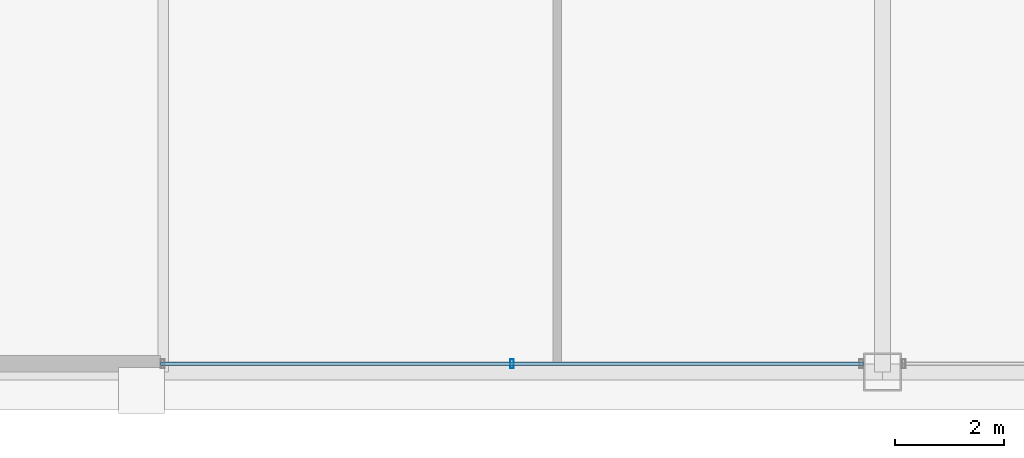
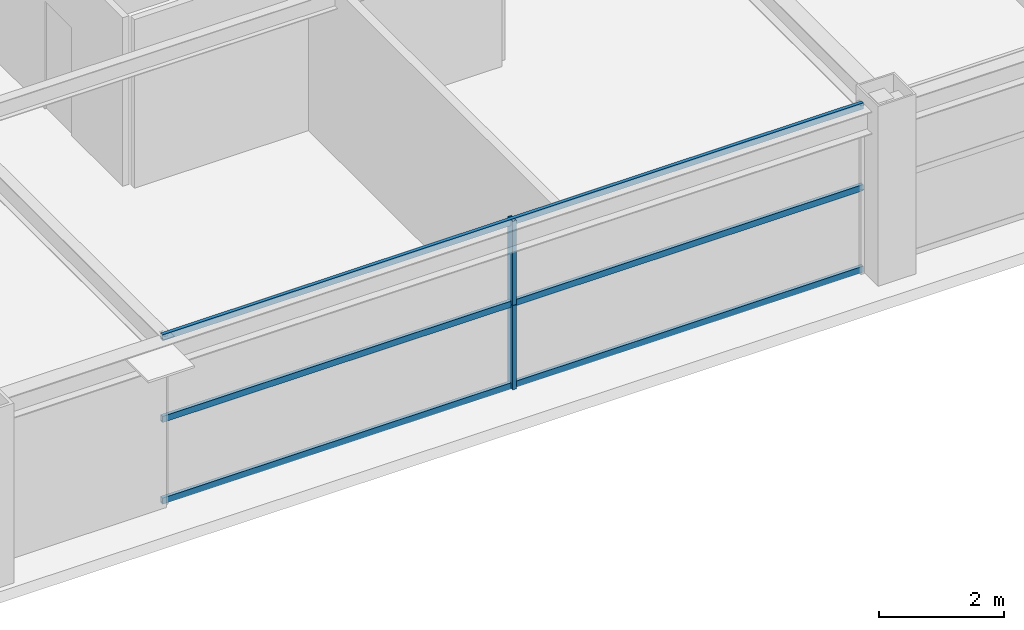
# One storey, part 5 of 36: 5 members, 1 element without a shape of its own.
"""IFC4 building model written with IfcOpenShell, lengths in metres."""

import ifcopenshell
import ifcopenshell.guid

model = None  # the IFC model being written
_history = None  # IfcOwnerHistory: only IFC2X3 demands one
_inside = {}  # id of a spatial element -> (the spatial element, [elements in it])
_under = {}  # id of a project, library or spatial element -> (it, [spatial elements below it])
_declared = {}  # id of a project -> (the project, [libraries it declares])
_typed = {}  # id of a type object -> (the type object, [elements of that type])
_made_of = {}  # id of a material, layer set ... -> (it, [elements and type objects made of it])


def new_model(schema):
    """Start an empty IFC model of exactly this schema.

    Asked for "IFC4X3", IfcOpenShell would pick the latest addendum, in which some entities
    have other attributes; the version numbers below select the first issue.
    IFC2X3 requires an IfcOwnerHistory on every rooted entity: one is made here for all.
    """
    global model, _history
    if schema == "IFC4X3":
        model = ifcopenshell.file(schema_version=(4, 3, 0, 0))
    else:
        model = ifcopenshell.file(schema=schema)
    _inside.clear()
    _under.clear()
    _declared.clear()
    _typed.clear()
    _made_of.clear()
    _history = None
    if model.schema == "IFC2X3":
        org = make("IfcOrganization", Name="unknown")
        user = make(
            "IfcPersonAndOrganization",
            ThePerson=make("IfcPerson", FamilyName="unknown"),
            TheOrganization=org,
        )
        app = make(
            "IfcApplication",
            ApplicationDeveloper=org,
            Version="unknown",
            ApplicationFullName="unknown",
            ApplicationIdentifier="unknown",
        )
        _history = make(
            "IfcOwnerHistory",
            OwningUser=user,
            OwningApplication=app,
            ChangeAction="ADDED",
            CreationDate=0,
        )
    return model


def make(cls, **values):
    """One entity of the class cls with the attributes given. An attribute that is None is left unset."""
    return model.create_entity(
        cls, **{name: value for name, value in values.items() if value is not None}
    )


def rooted(cls, **values):
    """An entity with a GlobalId (a new one), such as an element, a storey or a relation."""
    return make(cls, GlobalId=ifcopenshell.guid.new(), OwnerHistory=_history, **values)


def si_unit(unit_type, name, prefix=None):
    """IfcSIUnit, for example si_unit("LENGTHUNIT", "METRE", prefix="MILLI")."""
    return make("IfcSIUnit", UnitType=unit_type, Prefix=prefix, Name=name)


def assignment(units):
    """IfcUnitAssignment: the units of a project."""
    return None if units is None else make("IfcUnitAssignment", Units=units)


def point(xyz):
    """IfcCartesianPoint."""
    return None if xyz is None else make("IfcCartesianPoint", Coordinates=xyz)


def direction(xyz):
    """IfcDirection."""
    return None if xyz is None else make("IfcDirection", DirectionRatios=xyz)


def frame(location, z_axis=None, x_axis=None):
    """IfcAxis2Placement3D, a coordinate frame: its origin and axes. An axis left out is left unset."""
    return make(
        "IfcAxis2Placement3D",
        Location=point(location),
        Axis=direction(z_axis),
        RefDirection=direction(x_axis),
    )


def frame_2d(location, x_axis=None):
    """IfcAxis2Placement2D, a coordinate frame in the plane: its origin and x axis."""
    return make(
        "IfcAxis2Placement2D", Location=point(location), RefDirection=direction(x_axis)
    )


def origin():
    """The frame at (0, 0, 0) with its axes left unset."""
    return frame((0.0, 0.0, 0.0))


def origin_2d():
    """The frame at (0, 0) in the plane with its x axis left unset."""
    return frame_2d((0.0, 0.0))


def place(relative_to, where):
    """IfcLocalPlacement: puts the frame where relative to a parent placement (None: the world)."""
    return make(
        "IfcLocalPlacement", PlacementRelTo=relative_to, RelativePlacement=where
    )


def context(
    kind, dimensions, precision=None, world=None, true_north=None, identifier=None
):
    """IfcGeometricRepresentationContext, for example the 3D "Model" context."""
    return make(
        "IfcGeometricRepresentationContext",
        ContextIdentifier=identifier,
        ContextType=kind,
        CoordinateSpaceDimension=dimensions,
        Precision=precision,
        WorldCoordinateSystem=world,
        TrueNorth=true_north,
    )


def subcontext(parent, identifier, kind, view, scale=None):
    """IfcGeometricRepresentationSubContext, for example "Body" below "Model"."""
    return make(
        "IfcGeometricRepresentationSubContext",
        ContextIdentifier=identifier,
        ContextType=kind,
        ParentContext=parent,
        TargetScale=scale,
        TargetView=view,
    )


def project(units=None, contexts=None):
    """IfcProject with its units and contexts."""
    return rooted(
        "IfcProject",
        Name="project",
        RepresentationContexts=contexts,
        UnitsInContext=assignment(units),
    )


def spatial(cls, under=None, at=None, **own):
    """A site, building, storey or space (cls), placed at a placement, below another one or the project."""
    s = rooted(cls, ObjectPlacement=at, **own)
    if under is not None:
        _under.setdefault(under.id(), (under, []))[1].append(s)
    return s


def profile(cls, at=None, kind="AREA", **sizes):
    """A parametric profile (cls). Its sizes go by their IFC names, for example OverallWidth=200.0."""
    return make(cls, ProfileType=kind, Position=at, **sizes)


def hollow_rectangle(**sizes):
    """IfcRectangleHollowProfileDef."""
    return profile("IfcRectangleHollowProfileDef", **sizes)


def extrude(swept, where, along, depth):
    """IfcExtrudedAreaSolid: the profile swept, set in the frame where, extruded along a direction by depth."""
    return make(
        "IfcExtrudedAreaSolid",
        SweptArea=swept,
        Position=where,
        ExtrudedDirection=direction(along),
        Depth=depth,
    )


def shape(context_of_items, identifier, shape_type, items):
    """IfcShapeRepresentation: the items that make up one representation, for example the "Body"."""
    return make(
        "IfcShapeRepresentation",
        ContextOfItems=context_of_items,
        RepresentationIdentifier=identifier,
        RepresentationType=shape_type,
        Items=items,
    )


def source(mapping_origin, context_of_items, identifier, shape_type, items):
    """IfcRepresentationMap: a shape defined once, which mapped items show again and again."""
    return make(
        "IfcRepresentationMap",
        MappingOrigin=mapping_origin,
        MappedRepresentation=shape(context_of_items, identifier, shape_type, items),
    )


def transform(
    local_origin,
    x_axis=None,
    y_axis=None,
    z_axis=None,
    scale=None,
    scale2=None,
    scale3=None,
    uniform=True,
):
    """IfcCartesianTransformationOperator3D, or its non-uniform kind. x_axis, y_axis, z_axis: its Axis1, 2, 3."""
    if uniform:
        return make(
            "IfcCartesianTransformationOperator3D",
            Axis1=direction(x_axis),
            Axis2=direction(y_axis),
            LocalOrigin=point(local_origin),
            Scale=scale,
            Axis3=direction(z_axis),
        )
    return make(
        "IfcCartesianTransformationOperator3DnonUniform",
        Axis1=direction(x_axis),
        Axis2=direction(y_axis),
        LocalOrigin=point(local_origin),
        Scale=scale,
        Axis3=direction(z_axis),
        Scale2=scale2,
        Scale3=scale3,
    )


def mapped(mapping_source, mapping_target):
    """IfcMappedItem: shows the shape of a source again, moved by a transform."""
    return make(
        "IfcMappedItem", MappingSource=mapping_source, MappingTarget=mapping_target
    )


def material(Name=None, Category=None):
    """IfcMaterial."""
    return make("IfcMaterial", Name=Name, Category=Category)


def layer(
    of_material, thickness, ventilated=None, Name=None, Category=None, Priority=None
):
    """IfcMaterialLayer: one layer of a wall or slab, of a material (None: an air gap)."""
    return make(
        "IfcMaterialLayer",
        Material=of_material,
        LayerThickness=thickness,
        IsVentilated=ventilated,
        Name=Name,
        Category=Category,
        Priority=Priority,
    )


def layer_set(layers, Name=None):
    """IfcMaterialLayerSet."""
    return make("IfcMaterialLayerSet", MaterialLayers=layers, LayerSetName=Name)


def material_profile(
    of_material, cross_section, Name=None, Category=None, Priority=None
):
    """IfcMaterialProfile: a cross section and its material."""
    return make(
        "IfcMaterialProfile",
        Name=Name,
        Material=of_material,
        Profile=cross_section,
        Priority=Priority,
        Category=Category,
    )


def profile_set(profiles, Name=None, composite=None):
    """IfcMaterialProfileSet."""
    return make(
        "IfcMaterialProfileSet",
        Name=Name,
        MaterialProfiles=profiles,
        CompositeProfile=composite,
    )


def made_of(thing, what):
    """Note that an element or type object is made of a material, layer set ...; save() writes the relation."""
    if what is not None:
        _made_of.setdefault(what.id(), (what, []))[1].append(thing)
    return thing


def type_object(cls, material=None, **own):
    """A type object (cls), such as IfcWallType, which elements share."""
    return made_of(rooted(cls, **own), material)


def element(
    cls,
    number,
    at=None,
    inside=None,
    cuts=None,
    type_object=None,
    material=None,
    context=None,
    identifier="Body",
    shape_type=None,
    held_by="IfcProductDefinitionShape",
    body=None,
    shapes=None,
    **own,
):
    """One element of the class cls, such as IfcWall. Its Tag is "e" and its number.

    at: its placement. inside: the storey or other place that contains it. cuts: it is an
    opening in that element (IfcRelVoidsElement). A single representation is given by context,
    identifier, shape_type and body (its items); several are given by shapes. held_by: the class
    of the entity that holds the representations. save() writes the other relations.
    """
    e = rooted(cls, Tag="e%d" % number, ObjectPlacement=at, **own)
    if body is not None:
        shapes = [shape(context, identifier, shape_type, body)]
    if shapes is not None:
        e.Representation = make(held_by, Representations=shapes)
    if inside is not None:
        _inside.setdefault(inside.id(), (inside, []))[1].append(e)
    if cuts is not None:
        rooted(
            "IfcRelVoidsElement", RelatingBuildingElement=cuts, RelatedOpeningElement=e
        )
    if type_object is not None:
        _typed.setdefault(type_object.id(), (type_object, []))[1].append(e)
    return made_of(e, material)


def aggregate(whole, parts):
    """IfcRelAggregates: a whole, such as a stair, and the parts it consists of."""
    return rooted("IfcRelAggregates", RelatingObject=whole, RelatedObjects=parts)


def save(model, path):
    """Write the relations noted so far, then the file.

    IfcRelAggregates (storeys below a building ...), IfcRelContainedInSpatialStructure (elements
    in a storey), IfcRelDefinesByType, IfcRelAssociatesMaterial and IfcRelDeclares: one each for
    every whole, place, type object, material and project.
    """
    for whole, parts in _under.values():
        aggregate(whole, parts)
    for where, things in _inside.values():
        rooted(
            "IfcRelContainedInSpatialStructure",
            RelatedElements=things,
            RelatingStructure=where,
        )
    for kind, things in _typed.values():
        rooted("IfcRelDefinesByType", RelatedObjects=things, RelatingType=kind)
    for what, things in _made_of.values():
        rooted("IfcRelAssociatesMaterial", RelatedObjects=things, RelatingMaterial=what)
    for by, libraries in _declared.values():
        rooted("IfcRelDeclares", RelatingContext=by, RelatedDefinitions=libraries)
    model.write(path)


model = new_model("IFC4")

# Units and contexts
model_context = context("Model", 3, precision=1e-05, world=origin(), true_north=direction((0.0, 1.0)))
body_context = subcontext(model_context, "Body", "Model", "MODEL_VIEW")
ifc_project = project(units=[si_unit("LENGTHUNIT", "METRE"), si_unit("AREAUNIT", "SQUARE_METRE"), si_unit("VOLUMEUNIT", "CUBIC_METRE"), si_unit("PLANEANGLEUNIT", "RADIAN"), si_unit("MASSUNIT", "GRAM", prefix="KILO"), si_unit("THERMODYNAMICTEMPERATUREUNIT", "KELVIN"), si_unit("POWERUNIT", "WATT")], contexts=[model_context])

# Site, building, storey
site_placement = place(None, origin())
site = spatial("IfcSite", under=ifc_project, at=site_placement, CompositionType="ELEMENT")
building_placement = place(site_placement, origin())
building = spatial("IfcBuilding", under=site, at=building_placement, Name="Yuzanri Waterfront Tower", CompositionType="ELEMENT")
storey_placement = place(building_placement, frame((0.0, 0.0, 238.10009765625)))
storey = spatial("IfcBuildingStorey", under=building, at=storey_placement, Name="L63", CompositionType="ELEMENT", Elevation=238.10009765625)

# Curtain wall, members
ifc_material_1 = material(Name="Anodized Architectural Bronze", Category="metal")
ifc_layer = layer(ifc_material_1, 0.159912109375)
ifc_layer_set = layer_set([ifc_layer], Name="Anodized Architectural Bronze")
curtain_wall_type = type_object("IfcCurtainWallType", Name="Anodized Bronze Mid-Rise Residential Acoustic Unitized Curtain Wall 7200", PredefinedType="NOTDEFINED", material=ifc_layer_set)
curtain_wall_placement = place(storey_placement, origin())
curtain_wall = element("IfcCurtainWall", 1, at=curtain_wall_placement, inside=storey, type_object=curtain_wall_type, Name="L63 Curtain Wall CW-L63-SL", PredefinedType="NOTDEFINED")
ifc_material_2 = material(Name="Anodized Architectural Bronze", Category="metal")
ifc_material_profile_1 = material_profile(ifc_material_2, hollow_rectangle(XDim=0.06494140625, YDim=0.159912109375, WallThickness=0.00341796875, at=origin_2d()), Name="CWM 65x160")
ifc_profile_set_1 = profile_set([ifc_material_profile_1], Name="Anodized Architectural Bronze")
member_type_1 = type_object("IfcMemberType", Name="Anodized Bronze Upper-Zone Curtain-Wall Mullion 65x160", PredefinedType="MULLION", material=ifc_profile_set_1)
shared_shape_1 = source(origin(), body_context, "Body", "SweptSolid", [
    extrude(hollow_rectangle(XDim=0.06494140625, YDim=0.159912109375, WallThickness=0.00341796875, at=origin_2d()), origin(), (0.0, 0.0, 1.0), 1.637939453125),
])
member_1_placement = place(storey_placement, frame((30.199951171875, 5.35009765625, 0.0), z_axis=(0.0, 0.0, 1.0), x_axis=(1.0, 0.0, 0.0)))
member_1 = element("IfcMember", 2, at=member_1_placement, type_object=member_type_1, Name="CW-L63-SL Lower Mullion 01", PredefinedType="MULLION", context=body_context, shape_type="MappedRepresentation", body=[
    mapped(shared_shape_1, transform((0.0, 0.0, 0.0), scale=1.0)),
])
member_2_placement = place(storey_placement, frame((30.199951171875, 5.35009765625, 1.641845703125), z_axis=(0.0, 0.0, 1.0), x_axis=(1.0, 0.0, 0.0)))
member_2 = element("IfcMember", 3, at=member_2_placement, type_object=member_type_1, Name="CW-L63-SL Upper Mullion 01", PredefinedType="MULLION", context=body_context, shape_type="MappedRepresentation", body=[
    mapped(shared_shape_1, transform((0.0, 0.0, 0.0), scale=1.0)),
])
ifc_material_3 = material(Name="Anodized Architectural Bronze", Category="metal")
ifc_material_profile_2 = material_profile(ifc_material_3, hollow_rectangle(XDim=0.06494140625, YDim=0.1201171875, WallThickness=0.00341796875, at=origin_2d()), Name="CWT 65x120")
ifc_profile_set_2 = profile_set([ifc_material_profile_2], Name="Anodized Architectural Bronze")
member_type_2 = type_object("IfcMemberType", Name="Anodized Bronze Secondary Curtain-Wall Transom 65x120", PredefinedType="USERDEFINED", material=ifc_profile_set_2)
shared_shape_2 = source(origin(), body_context, "Body", "SweptSolid", [
    extrude(hollow_rectangle(XDim=0.06494140625, YDim=0.1201171875, WallThickness=0.00341796875, at=origin_2d()), origin(), (0.0, 0.0, 1.0), 12.89990234375),
])
member_3_placement = place(storey_placement, frame((23.75, 5.35009765625, 0.0498046875), z_axis=(1.0, 0.0, 0.0), x_axis=(0.0, 1.0, 0.0)))
member_3 = element("IfcMember", 4, at=member_3_placement, type_object=member_type_2, Name="CW-L63-SL Transom 1", ObjectType="TRANSOM", PredefinedType="USERDEFINED", context=body_context, shape_type="MappedRepresentation", body=[
    mapped(shared_shape_2, transform((0.0, 0.0, 0.0), scale=1.0)),
])
member_4_placement = place(storey_placement, frame((23.75, 5.35009765625, 1.639892578125), z_axis=(1.0, 0.0, 0.0), x_axis=(0.0, 1.0, 0.0)))
member_4 = element("IfcMember", 5, at=member_4_placement, type_object=member_type_2, Name="CW-L63-SL Transom 2", ObjectType="TRANSOM", PredefinedType="USERDEFINED", context=body_context, shape_type="MappedRepresentation", body=[
    mapped(shared_shape_2, transform((0.0, 0.0, 0.0), scale=1.0)),
])
member_5_placement = place(storey_placement, frame((23.75, 5.35009765625, 3.22998046875), z_axis=(1.0, 0.0, 0.0), x_axis=(0.0, 1.0, 0.0)))
member_5 = element("IfcMember", 6, at=member_5_placement, type_object=member_type_2, Name="CW-L63-SL Transom 3", ObjectType="TRANSOM", PredefinedType="USERDEFINED", context=body_context, shape_type="MappedRepresentation", body=[
    mapped(shared_shape_2, transform((0.0, 0.0, 0.0), scale=1.0)),
])
aggregate(curtain_wall, [member_1, member_2, member_3, member_4, member_5])

save(model, "model.ifc")
